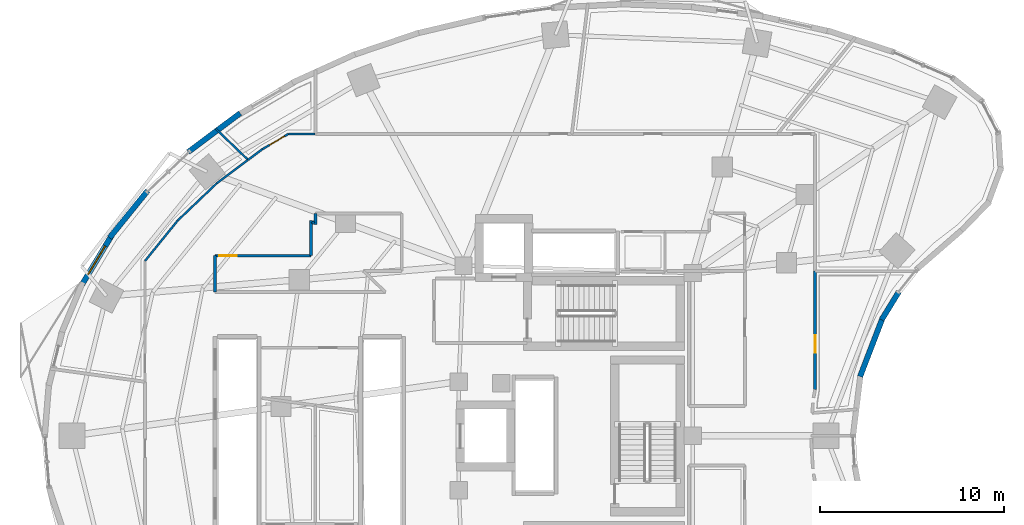
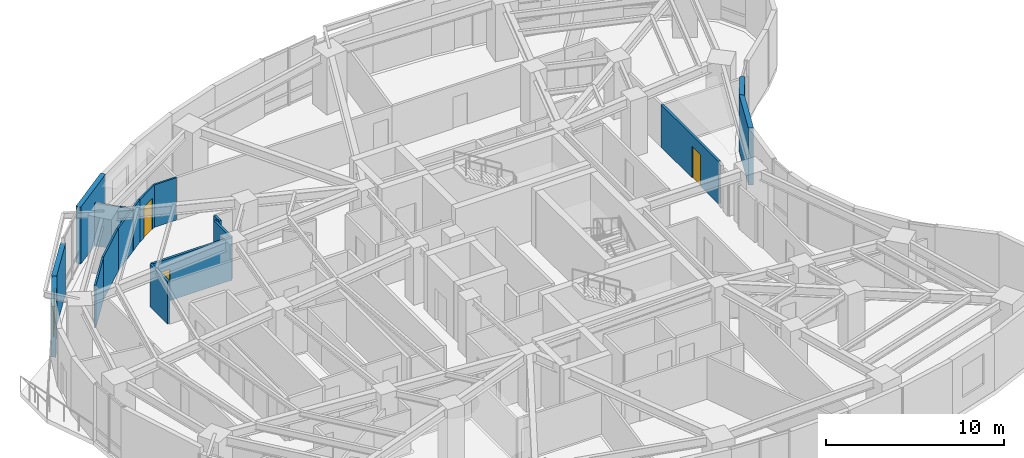
# One storey, part 11 of 16: 18 walls, 3 doors, 1 window, 4 openings.
"""IFC4 building model written with IfcOpenShell, lengths in metres."""

from ifc_helpers import new_model, si_unit, direction, frame, frame_2d, origin, place, context, subcontext, project, spatial, rectangle, extrude, material, layer, layer_set, type_object, element, fill, save


model = new_model("IFC4")

# Units and contexts
model_context = context("Model", 3, precision=1e-05, world=origin(), true_north=direction((0.0, 1.0)))
body_context = subcontext(model_context, "Body", "Model", "MODEL_VIEW")
ifc_project = project(units=[si_unit("LENGTHUNIT", "METRE"), si_unit("AREAUNIT", "SQUARE_METRE"), si_unit("VOLUMEUNIT", "CUBIC_METRE"), si_unit("PLANEANGLEUNIT", "RADIAN"), si_unit("MASSUNIT", "GRAM", prefix="KILO")], contexts=[model_context])

# Site, building, storey
site_placement = place(None, origin())
site = spatial("IfcSite", under=ifc_project, at=site_placement, CompositionType="ELEMENT")
building_placement = place(site_placement, origin())
building = spatial("IfcBuilding", under=site, at=building_placement, Name="Korentha Bioscience Tower", CompositionType="ELEMENT")
storey_placement = place(building_placement, frame((0.0, 0.0, 59.39990234375)))
storey = spatial("IfcBuildingStorey", under=building, at=storey_placement, Name="L13", CompositionType="ELEMENT", Elevation=59.39990234375)

# Wall, opening, door
ifc_material_1 = material(Name="Double-Stud Acoustic Gypsum", Category="gypsum")
ifc_layer_1 = layer(ifc_material_1, 0.14990234375, Name="Double-Stud Acoustic Gypsum")
ifc_layer_set_1 = layer_set([ifc_layer_1], Name="Double-Stud Acoustic Gypsum (IW-L150)")
wall_type_1 = type_object("IfcWallType", Name="Acoustic Laboratory Partition Wall 150", PredefinedType="PARTITIONING", material=ifc_layer_set_1)
wall_1_placement = place(storey_placement, frame((44.2099609375, 29.529541015625, 0.0), z_axis=(0.0, 0.0, 1.0), x_axis=(0.0, 1.0, 0.0)))
wall_1 = element("IfcWall", 1, at=wall_1_placement, inside=storey, type_object=wall_type_1, Name="L13 Staff Kitchenette and Dining Nook 11 Entrance Wall", PredefinedType="PARTITIONING", context=body_context, shape_type="SweptSolid", body=[
    extrude(rectangle(XDim=6.41845703125, YDim=0.14990234375, at=frame_2d((3.209228515625, 0.0))), origin(), (0.0, 0.0, 1.0), 2.91015625),
])
opening_1_placement = place(wall_1_placement, frame((1.992431640625, 0.0, 0.0)))
opening_1 = element("IfcOpeningElement", 2, at=opening_1_placement, cuts=wall_1, Name="Opening ID-10R", PredefinedType="OPENING", context=body_context, shape_type="SweptSolid", body=[
    extrude(rectangle(XDim=0.949951171875, YDim=2.14990234375, at=frame_2d((0.47509765625, 1.074951171875))), frame((0.0, 0.08984375, 0.0), z_axis=(0.0, -1.0, 0.0), x_axis=(1.0, 0.0, 0.0)), (0.0, 0.0, 1.0), 0.1796875),
])
ifc_material_2 = material(Name="Phenolic Laminate Timber Core", Category="wood")
door_type_1 = type_object("IfcDoorType", Name="Laboratory Single Leaf Door 950x2150 Right", OperationType="SINGLE_SWING_RIGHT", PredefinedType="DOOR", material=ifc_material_2)
door_1_placement = place(opening_1_placement, origin())
door_1 = element("IfcDoor", 3, at=door_1_placement, inside=storey, type_object=door_type_1, Name="L13 Staff Kitchenette and Dining Nook 11 Door", OperationType="SINGLE_SWING_RIGHT", OverallHeight=2.14990234375, OverallWidth=0.949951171875, PredefinedType="DOOR", context=body_context, shape_type="SweptSolid", body=[
    extrude(rectangle(XDim=0.949951171875, YDim=2.14990234375, at=frame_2d((0.47509765625, 1.074951171875))), frame((0.0, 0.02490234375, 0.0), z_axis=(0.0, -1.0, 0.0), x_axis=(1.0, 0.0, 0.0)), (0.0, 0.0, 1.0), 0.050048828125),
])
fill(opening_1, door_1)

wall_2_placement = place(storey_placement, frame((11.590087890625, 36.7900390625, 0.0), z_axis=(0.0, 0.0, 1.0), x_axis=(1.0, 0.0, 0.0)))
wall_2 = element("IfcWall", 4, at=wall_2_placement, inside=storey, type_object=wall_type_1, Name="L13 Data Visualization Collaboration Hub 18 Entrance Wall", PredefinedType="PARTITIONING", context=body_context, shape_type="SweptSolid", body=[
    extrude(rectangle(XDim=5.2099609375, YDim=0.14990234375, at=frame_2d((2.60498046875, 0.0))), origin(), (0.0, 0.0, 1.0), 2.91015625),
])
opening_2_placement = place(wall_2_placement, frame((0.239990234375, 0.0, 0.0)))
opening_2 = element("IfcOpeningElement", 5, at=opening_2_placement, cuts=wall_2, Name="Opening ID-10L", PredefinedType="OPENING", context=body_context, shape_type="SweptSolid", body=[
    extrude(rectangle(XDim=0.949951171875, YDim=2.14990234375, at=frame_2d((0.47509765625, 1.074951171875))), frame((0.0, 0.08984375, 0.0), z_axis=(0.0, -1.0, 0.0), x_axis=(1.0, 0.0, 0.0)), (0.0, 0.0, 1.0), 0.1796875),
])
door_type_2 = type_object("IfcDoorType", Name="Laboratory Single Leaf Door 950x2150 Left", OperationType="SINGLE_SWING_LEFT", PredefinedType="DOOR", material=ifc_material_2)
door_2_placement = place(opening_2_placement, origin())
door_2 = element("IfcDoor", 6, at=door_2_placement, inside=storey, type_object=door_type_2, Name="L13 Data Visualization Collaboration Hub 18 Door", OperationType="SINGLE_SWING_LEFT", OverallHeight=2.14990234375, OverallWidth=0.949951171875, PredefinedType="DOOR", context=body_context, shape_type="SweptSolid", body=[
    extrude(rectangle(XDim=0.949951171875, YDim=2.14990234375, at=frame_2d((0.47509765625, 1.074951171875))), frame((0.0, 0.02490234375, 0.0), z_axis=(0.0, -1.0, 0.0), x_axis=(1.0, 0.0, 0.0)), (0.0, 0.0, 1.0), 0.050048828125),
])
fill(opening_2, door_2)

# Walls
wall_3_placement = place(storey_placement, frame((17.052001953125, 38.47900390625, 0.0), z_axis=(0.0, 0.0, 1.0), x_axis=(0.0, 1.0, 0.0)))
element("IfcWall", 7, at=wall_3_placement, inside=storey, type_object=wall_type_1, Name="L13 Interior Partition 087", PredefinedType="PARTITIONING", context=body_context, shape_type="SweptSolid", body=[
    extrude(rectangle(XDim=0.611083984375, YDim=0.14990234375, at=frame_2d((0.3056640625, 0.0))), origin(), (0.0, 0.0, 1.0), 2.91015625),
])
wall_4_placement = place(storey_placement, frame((11.590087890625, 34.81005859375, 0.0), z_axis=(0.0, 0.0, 1.0), x_axis=(0.0, 1.0, 0.0)))
element("IfcWall", 8, at=wall_4_placement, inside=storey, type_object=wall_type_1, Name="L13 Interior Partition 093", PredefinedType="PARTITIONING", context=body_context, shape_type="SweptSolid", body=[
    extrude(rectangle(XDim=1.97998046875, YDim=0.14990234375, at=frame_2d((0.989990234375, 0.0))), origin(), (0.0, 0.0, 1.0), 2.91015625),
])
wall_5_placement = place(storey_placement, frame((16.81005859375, 36.800048828125, 0.0), z_axis=(0.0, 0.0, 1.0), x_axis=(0.0, 1.0, 0.0)))
element("IfcWall", 9, at=wall_5_placement, inside=storey, type_object=wall_type_1, Name="L13 Interior Partition 094", PredefinedType="PARTITIONING", context=body_context, shape_type="SweptSolid", body=[
    extrude(rectangle(XDim=1.90234375, YDim=0.14990234375, at=frame_2d((0.951171875, 0.0))), origin(), (0.0, 0.0, 1.0), 2.91015625),
])
wall_6_placement = place(storey_placement, frame((16.887939453125, 38.62744140625, 0.0), z_axis=(0.0, 0.0, 1.0), x_axis=(0.721264817237, -0.692659413721, 0.0)))
element("IfcWall", 10, at=wall_6_placement, inside=storey, type_object=wall_type_1, Name="L13 Interior Partition 095", PredefinedType="PARTITIONING", context=body_context, shape_type="SweptSolid", body=[
    extrude(rectangle(XDim=0.119384765625, YDim=0.14990234375, at=frame_2d((0.0595703125, 0.0))), origin(), (0.0, 0.0, 1.0), 2.91015625),
])

# Wall, opening, door
ifc_material_3 = material(Name="Fire-Rated Framed Glass", Category="glass")
ifc_layer_2 = layer(ifc_material_3, 0.110107421875, Name="Fire-Rated Framed Glass")
ifc_layer_set_2 = layer_set([ifc_layer_2], Name="Fire-Rated Framed Glass (IW-G110)")
wall_type_2 = type_object("IfcWallType", Name="Demountable Glazed Office Partition 110", PredefinedType="MOVABLE", material=ifc_layer_set_2)
wall_7_placement = place(storey_placement, frame((15.585693359375, 43.40869140625, 0.0), z_axis=(0.0, 0.0, 1.0), x_axis=(-0.862446636904, -0.506148000582, 0.0)))
wall_7 = element("IfcWall", 11, at=wall_7_placement, inside=storey, type_object=wall_type_2, Name="L13 Research Group Leader Office 17 Entrance Wall", PredefinedType="MOVABLE", context=body_context, shape_type="SweptSolid", body=[
    extrude(rectangle(XDim=1.652099609375, YDim=0.110107421875, at=frame_2d((0.826171875, 0.0))), origin(), (0.0, 0.0, 1.0), 2.91015625),
])
opening_3_placement = place(wall_7_placement, frame((0.239990234375, 0.0, 0.0)))
opening_3 = element("IfcOpeningElement", 12, at=opening_3_placement, cuts=wall_7, Name="Opening ID-10R", PredefinedType="OPENING", context=body_context, shape_type="SweptSolid", body=[
    extrude(rectangle(XDim=0.949951171875, YDim=2.14990234375, at=frame_2d((0.47509765625, 1.074951171875))), frame((0.0, 0.06982421875, 0.0), z_axis=(0.0, -1.0, 0.0), x_axis=(1.0, 0.0, 0.0)), (0.0, 0.0, 1.0), 0.139892578125),
])
door_3_placement = place(opening_3_placement, origin())
door_3 = element("IfcDoor", 13, at=door_3_placement, inside=storey, type_object=door_type_1, Name="L13 Research Group Leader Office 17 Door", OperationType="SINGLE_SWING_RIGHT", OverallHeight=2.14990234375, OverallWidth=0.949951171875, PredefinedType="DOOR", context=body_context, shape_type="SweptSolid", body=[
    extrude(rectangle(XDim=0.949951171875, YDim=2.14990234375, at=frame_2d((0.47509765625, 1.074951171875))), frame((0.0, 0.02490234375, 0.0), z_axis=(0.0, -1.0, 0.0), x_axis=(1.0, 0.0, 0.0)), (0.0, 0.0, 1.0), 0.050048828125),
])
fill(opening_3, door_3)

# Walls
wall_8_placement = place(storey_placement, frame((17.0419921875, 43.409912109375, 0.0), z_axis=(0.0, 0.0, 1.0), x_axis=(-1.0, 0.0, 0.0)))
element("IfcWall", 14, at=wall_8_placement, inside=storey, type_object=wall_type_2, Name="L13 Interior Partition 084", PredefinedType="MOVABLE", context=body_context, shape_type="SweptSolid", body=[
    extrude(rectangle(XDim=1.451171875, YDim=0.110107421875, at=frame_2d((0.7255859375, 0.0))), origin(), (0.0, 0.0, 1.0), 2.91015625),
])
wall_9_placement = place(storey_placement, frame((14.159912109375, 42.57177734375, 0.0), z_axis=(0.0, 0.0, 1.0), x_axis=(-0.800793474552, -0.598940573942, 0.0)))
element("IfcWall", 15, at=wall_9_placement, inside=storey, type_object=wall_type_2, Name="L13 Interior Partition 085", PredefinedType="MOVABLE", context=body_context, shape_type="SweptSolid", body=[
    extrude(rectangle(XDim=0.959228515625, YDim=0.110107421875, at=frame_2d((0.4794921875, 0.0))), origin(), (0.0, 0.0, 1.0), 2.91015625),
])
wall_10_placement = place(storey_placement, frame((13.391845703125, 41.997314453125, 0.0), z_axis=(0.0, 0.0, 1.0), x_axis=(-0.720542500503, 0.693410776502, 0.0)))
element("IfcWall", 16, at=wall_10_placement, inside=storey, type_object=wall_type_2, Name="L13 Interior Partition 086", PredefinedType="MOVABLE", context=body_context, shape_type="SweptSolid", body=[
    extrude(rectangle(XDim=2.4384765625, YDim=0.110107421875, at=frame_2d((1.21923828125, 0.0))), origin(), (0.0, 0.0, 1.0), 2.91015625),
])
wall_11_placement = place(storey_placement, frame((13.3837890625, 41.991455078125, 0.0), z_axis=(0.0, 0.0, 1.0), x_axis=(-0.800776961214, -0.598962651914, 0.0)))
element("IfcWall", 17, at=wall_11_placement, inside=storey, type_object=wall_type_2, Name="L13 Interior Partition 096", PredefinedType="MOVABLE", context=body_context, shape_type="SweptSolid", body=[
    extrude(rectangle(XDim=2.10986328125, YDim=0.110107421875, at=frame_2d((1.054931640625, 0.0))), origin(), (0.0, 0.0, 1.0), 2.91015625),
])
wall_12_placement = place(storey_placement, frame((11.693359375, 40.72705078125, 0.0), z_axis=(0.0, 0.0, 1.0), x_axis=(-0.723683526017, -0.690131983154, 0.0)))
element("IfcWall", 18, at=wall_12_placement, inside=storey, type_object=wall_type_2, Name="L13 Interior Partition 097", PredefinedType="MOVABLE", context=body_context, shape_type="SweptSolid", body=[
    extrude(rectangle(XDim=2.939697265625, YDim=0.110107421875, at=frame_2d((1.4697265625, 0.0))), origin(), (0.0, 0.0, 1.0), 2.91015625),
])
wall_13_placement = place(storey_placement, frame((9.565185546875, 38.697265625, 0.0), z_axis=(0.0, 0.0, 1.0), x_axis=(-0.629270515505, -0.777186347227, 0.0)))
element("IfcWall", 19, at=wall_13_placement, inside=storey, type_object=wall_type_2, Name="L13 Interior Partition 098", PredefinedType="MOVABLE", context=body_context, shape_type="SweptSolid", body=[
    extrude(rectangle(XDim=2.8173828125, YDim=0.110107421875, at=frame_2d((1.40869140625, 0.0))), origin(), (0.0, 0.0, 1.0), 2.91015625),
])

# Wall, opening, window
ifc_material_4 = material(Name="Honed Limestone Precast Concrete C40", Category="masonry")
ifc_layer_3 = layer(ifc_material_4, 0.300048828125, Name="Honed Limestone Precast Concrete C40")
ifc_layer_set_3 = layer_set([ifc_layer_3], Name="Honed Limestone Precast Concrete C40 (EW-ST300)")
wall_type_3 = type_object("IfcWallType", Name="Honed Limestone Cavity Spandrel Wall 300", PredefinedType="STANDARD", material=ifc_layer_set_3)
wall_14_placement = place(storey_placement, frame((5.975341796875, 37.886474609375, 0.0), z_axis=(0.0, 0.0, 1.0), x_axis=(-0.516447962267, -0.856318575222, 0.0)))
wall_14 = element("IfcWall", 20, at=wall_14_placement, inside=storey, type_object=wall_type_3, Name="L13 Honed Limestone Spandrel Wall 15", PredefinedType="STANDARD", context=body_context, shape_type="SweptSolid", body=[
    extrude(rectangle(XDim=3.142822265625, YDim=0.300048828125, at=frame_2d((1.5712890625, 0.0))), origin(), (0.0, 0.0, 1.0), 3.47021484375),
])
opening_4_placement = place(wall_14_placement, frame((0.67138671875, 0.0, 0.89990234375)))
opening_4 = element("IfcOpeningElement", 21, at=opening_4_placement, cuts=wall_14, Name="Opening WN-01", PredefinedType="OPENING", context=body_context, shape_type="SweptSolid", body=[
    extrude(rectangle(XDim=1.800048828125, YDim=2.10009765625, at=frame_2d((0.89990234375, 1.050048828125))), frame((0.0, 0.1650390625, 0.0), z_axis=(0.0, -1.0, 0.0), x_axis=(1.0, 0.0, 0.0)), (0.0, 0.0, 1.0), 0.329833984375),
])
ifc_material_5 = material(Name="Thermally Broken Aluminium Triple Glazing", Category="aluminium")
window_type = type_object("IfcWindowType", Name="Triple-Glazed Fixed Bioscience Window 1800x2100", PartitioningType="SINGLE_PANEL", PredefinedType="WINDOW", material=ifc_material_5)
window_placement = place(opening_4_placement, origin())
window = element("IfcWindow", 22, at=window_placement, inside=storey, type_object=window_type, Name="L13 Facade Window 15", OverallHeight=2.10009765625, OverallWidth=1.800048828125, PartitioningType="SINGLE_PANEL", PredefinedType="WINDOW", context=body_context, shape_type="SweptSolid", body=[
    extrude(rectangle(XDim=1.800048828125, YDim=2.10009765625, at=frame_2d((0.89990234375, 1.050048828125))), frame((0.0, 0.030029296875, 0.0), z_axis=(0.0, -1.0, 0.0), x_axis=(1.0, 0.0, 0.0)), (0.0, 0.0, 1.0), 0.06005859375),
])
fill(opening_4, window)

# Walls
wall_15_placement = place(storey_placement, frame((12.96142578125, 44.53515625, 0.0), z_axis=(0.0, 0.0, 1.0), x_axis=(-0.800823020995, -0.598901067827, 0.0)))
element("IfcWall", 23, at=wall_15_placement, inside=storey, type_object=wall_type_3, Name="L13 Limestone Perimeter Closure Wall 12", PredefinedType="STANDARD", context=body_context, shape_type="SweptSolid", body=[
    extrude(rectangle(XDim=3.520751953125, YDim=0.300048828125, at=frame_2d((1.76025390625, 0.0))), origin(), (0.0, 0.0, 1.0), 3.900146484375),
])
wall_16_placement = place(storey_placement, frame((7.934326171875, 40.322509765625, 0.0), z_axis=(0.0, 0.0, 1.0), x_axis=(-0.629221727718, -0.777225847079, 0.0)))
element("IfcWall", 24, at=wall_16_placement, inside=storey, type_object=wall_type_3, Name="L13 Limestone Perimeter Closure Wall 14", PredefinedType="STANDARD", context=body_context, shape_type="SweptSolid", body=[
    extrude(rectangle(XDim=3.28759765625, YDim=0.300048828125, at=frame_2d((1.643798828125, 0.0))), origin(), (0.0, 0.0, 1.0), 3.47021484375),
])
wall_17_placement = place(storey_placement, frame((46.65478515625, 30.220703125, 0.0), z_axis=(0.0, 0.0, 1.0), x_axis=(0.358344570513, 0.933589400531, 0.0)))
element("IfcWall", 25, at=wall_17_placement, inside=storey, type_object=wall_type_3, Name="L13 Limestone Perimeter Closure Wall 52", PredefinedType="STANDARD", context=body_context, shape_type="SweptSolid", body=[
    extrude(rectangle(XDim=3.4296875, YDim=0.300048828125, at=frame_2d((1.71484375, 0.0))), origin(), (0.0, 0.0, 1.0), 3.900146484375),
])
wall_18_placement = place(storey_placement, frame((47.82470703125, 33.302734375, 0.0), z_axis=(0.0, 0.0, 1.0), x_axis=(0.522520662875, 0.852626622191, 0.0)))
element("IfcWall", 26, at=wall_18_placement, inside=storey, type_object=wall_type_3, Name="L13 Limestone Perimeter Closure Wall 54", PredefinedType="STANDARD", context=body_context, shape_type="SweptSolid", body=[
    extrude(rectangle(XDim=1.7978515625, YDim=0.300048828125, at=frame_2d((0.89892578125, 0.0))), origin(), (0.0, 0.0, 1.0), 3.900146484375),
])

save(model, "model.ifc")
